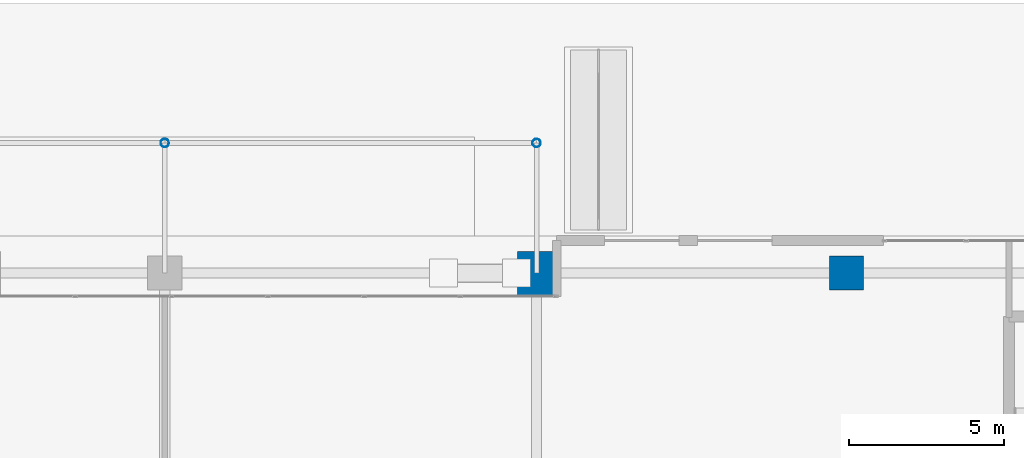
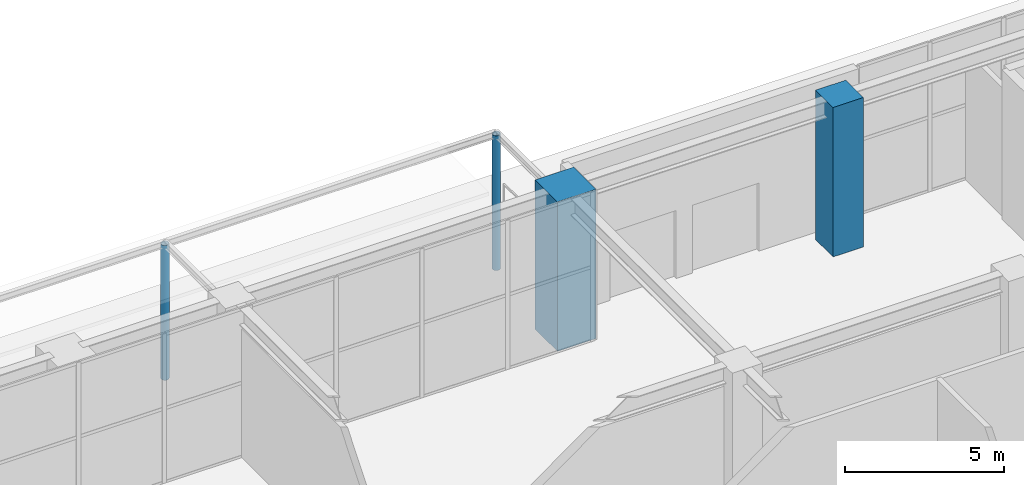
# One storey, part 9 of 49: 4 columns.
"""IFC4 building model written with IfcOpenShell, lengths in metres."""

from ifc_helpers import new_model, si_unit, direction, frame, origin, origin_2d, place, context, subcontext, project, spatial, rectangle, hollow_circle, extrude, material, material_profile, profile_set, type_object, element, save


model = new_model("IFC4")

# Units and contexts
model_context = context("Model", 3, precision=1e-05, world=origin(), true_north=direction((0.0, 1.0)))
body_context = subcontext(model_context, "Body", "Model", "MODEL_VIEW")
ifc_project = project(units=[si_unit("LENGTHUNIT", "METRE"), si_unit("AREAUNIT", "SQUARE_METRE"), si_unit("VOLUMEUNIT", "CUBIC_METRE"), si_unit("PLANEANGLEUNIT", "RADIAN"), si_unit("MASSUNIT", "GRAM", prefix="KILO")], contexts=[model_context])

# Site, building, storey
site_placement = place(None, origin())
site = spatial("IfcSite", under=ifc_project, at=site_placement, CompositionType="ELEMENT")
building_placement = place(site_placement, origin())
building = spatial("IfcBuilding", under=site, at=building_placement, Name="Sarneth Arch Tower", CompositionType="ELEMENT")
storey_placement = place(building_placement, origin())
storey = spatial("IfcBuildingStorey", under=building, at=storey_placement, Name="L00", CompositionType="ELEMENT", Elevation=0.0)

# Columns
ifc_material_1 = material(Name="Steel S355", Category="steel")
ifc_material_profile_1 = material_profile(ifc_material_1, hollow_circle(Radius=0.136474609375, WallThickness=0.010009765625, at=origin_2d()), Name="CHS273x10")
ifc_profile_set_1 = profile_set([ifc_material_profile_1], Name="Steel S355")
column_type_1 = type_object("IfcColumnType", Name="COL-CANOPY-273", PredefinedType="COLUMN", material=ifc_profile_set_1)
for number, where, z_axis, x_axis, name in (
    (1, (54.0, 79.0, 0.0), (0.0, 0.0, 1.0), (1.0, 0.0, 0.0), "Entrance canopy column NORTH.3"),
    (2, (66.0, 79.0, 0.0), (0.0, 0.0, 1.0), (1.0, 0.0, 0.0), "Entrance canopy column NORTH.4"),
):
    element("IfcColumn", number, at=place(storey_placement, frame(where, z_axis=z_axis, x_axis=x_axis)), inside=storey, type_object=column_type_1, Name=name, PredefinedType="COLUMN", context=body_context, shape_type="SweptSolid", body=[
        extrude(hollow_circle(Radius=0.136474609375, WallThickness=0.010009765625, at=origin_2d()), origin(), (0.0, 0.0, 1.0), 5.159912109375),
    ])
ifc_material_2 = material(Name="Concrete C60/75", Category="concrete")
ifc_material_profile_2 = material_profile(ifc_material_2, rectangle(XDim=1.10009765625, YDim=1.10009765625, at=origin_2d()), Name="RC-1100x1100")
ifc_profile_set_2 = profile_set([ifc_material_profile_2], Name="Concrete C60/75")
column_type_2 = type_object("IfcColumnType", Name="COL-RC-1100", PredefinedType="COLUMN", material=ifc_profile_set_2)
column_1_placement = place(storey_placement, frame((76.0, 74.800048828125, 0.0), z_axis=(0.0, 0.0, 1.0), x_axis=(1.0, 0.0, 0.0)))
element("IfcColumn", 3, at=column_1_placement, inside=storey, type_object=column_type_2, Name="L00 Podium column PN07", PredefinedType="COLUMN", context=body_context, shape_type="SweptSolid", body=[
    extrude(rectangle(XDim=1.10009765625, YDim=1.10009765625, at=origin_2d()), origin(), (0.0, 0.0, 1.0), 5.719970703125),
])
ifc_material_3 = material(Name="Concrete C60/75", Category="concrete")
ifc_material_profile_3 = material_profile(ifc_material_3, rectangle(XDim=1.39990234375, YDim=1.39990234375, at=origin_2d()), Name="RC-1400x1400")
ifc_profile_set_3 = profile_set([ifc_material_profile_3], Name="Concrete C60/75")
column_type_3 = type_object("IfcColumnType", Name="COL-RC-1400", PredefinedType="COLUMN", material=ifc_profile_set_3)
column_2_placement = place(storey_placement, frame((66.08447265625, 74.800048828125, 0.0), z_axis=(0.0, 0.0, 1.0), x_axis=(1.0, 0.0, 0.0)))
element("IfcColumn", 4, at=column_2_placement, inside=storey, type_object=column_type_3, Name="L00 Podium column PX04", PredefinedType="COLUMN", context=body_context, shape_type="SweptSolid", body=[
    extrude(rectangle(XDim=1.39990234375, YDim=1.39990234375, at=origin_2d()), origin(), (0.0, 0.0, 1.0), 5.719970703125),
])

save(model, "model.ifc")
